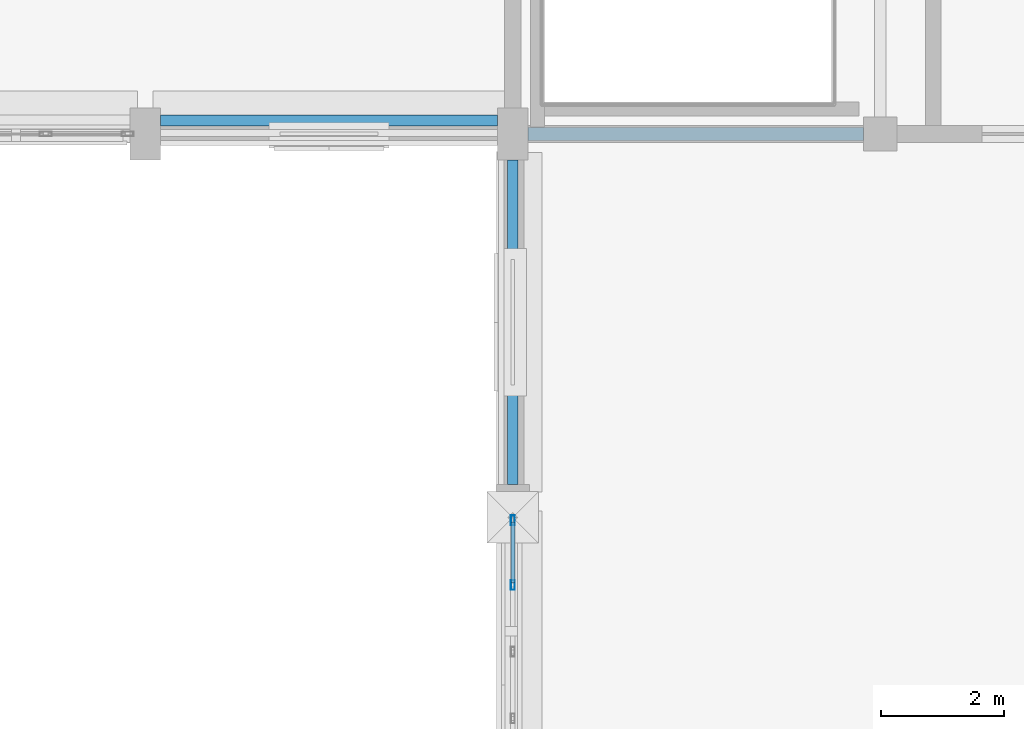
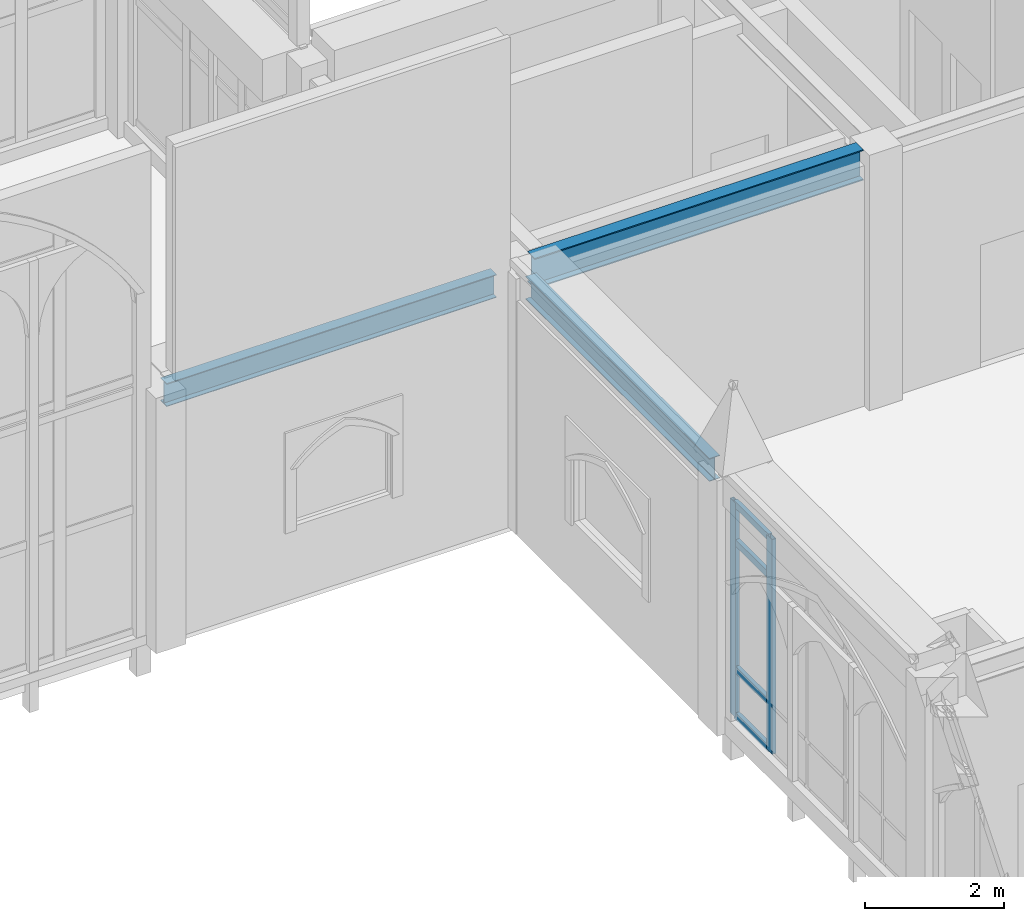
# One storey, part 46 of 108: 6 members, 3 beams, 1 element without a shape of its own.
"""IFC4 building model written with IfcOpenShell, lengths in metres."""

import ifcopenshell
import ifcopenshell.guid

model = None  # the IFC model being written
_history = None  # IfcOwnerHistory: only IFC2X3 demands one
_inside = {}  # id of a spatial element -> (the spatial element, [elements in it])
_under = {}  # id of a project, library or spatial element -> (it, [spatial elements below it])
_declared = {}  # id of a project -> (the project, [libraries it declares])
_typed = {}  # id of a type object -> (the type object, [elements of that type])
_made_of = {}  # id of a material, layer set ... -> (it, [elements and type objects made of it])


def new_model(schema):
    """Start an empty IFC model of exactly this schema.

    Asked for "IFC4X3", IfcOpenShell would pick the latest addendum, in which some entities
    have other attributes; the version numbers below select the first issue.
    IFC2X3 requires an IfcOwnerHistory on every rooted entity: one is made here for all.
    """
    global model, _history
    if schema == "IFC4X3":
        model = ifcopenshell.file(schema_version=(4, 3, 0, 0))
    else:
        model = ifcopenshell.file(schema=schema)
    _inside.clear()
    _under.clear()
    _declared.clear()
    _typed.clear()
    _made_of.clear()
    _history = None
    if model.schema == "IFC2X3":
        org = make("IfcOrganization", Name="unknown")
        user = make(
            "IfcPersonAndOrganization",
            ThePerson=make("IfcPerson", FamilyName="unknown"),
            TheOrganization=org,
        )
        app = make(
            "IfcApplication",
            ApplicationDeveloper=org,
            Version="unknown",
            ApplicationFullName="unknown",
            ApplicationIdentifier="unknown",
        )
        _history = make(
            "IfcOwnerHistory",
            OwningUser=user,
            OwningApplication=app,
            ChangeAction="ADDED",
            CreationDate=0,
        )
    return model


def make(cls, **values):
    """One entity of the class cls with the attributes given. An attribute that is None is left unset."""
    return model.create_entity(
        cls, **{name: value for name, value in values.items() if value is not None}
    )


def rooted(cls, **values):
    """An entity with a GlobalId (a new one), such as an element, a storey or a relation."""
    return make(cls, GlobalId=ifcopenshell.guid.new(), OwnerHistory=_history, **values)


def si_unit(unit_type, name, prefix=None):
    """IfcSIUnit, for example si_unit("LENGTHUNIT", "METRE", prefix="MILLI")."""
    return make("IfcSIUnit", UnitType=unit_type, Prefix=prefix, Name=name)


def assignment(units):
    """IfcUnitAssignment: the units of a project."""
    return None if units is None else make("IfcUnitAssignment", Units=units)


def point(xyz):
    """IfcCartesianPoint."""
    return None if xyz is None else make("IfcCartesianPoint", Coordinates=xyz)


def direction(xyz):
    """IfcDirection."""
    return None if xyz is None else make("IfcDirection", DirectionRatios=xyz)


def frame(location, z_axis=None, x_axis=None):
    """IfcAxis2Placement3D, a coordinate frame: its origin and axes. An axis left out is left unset."""
    return make(
        "IfcAxis2Placement3D",
        Location=point(location),
        Axis=direction(z_axis),
        RefDirection=direction(x_axis),
    )


def frame_2d(location, x_axis=None):
    """IfcAxis2Placement2D, a coordinate frame in the plane: its origin and x axis."""
    return make(
        "IfcAxis2Placement2D", Location=point(location), RefDirection=direction(x_axis)
    )


def origin():
    """The frame at (0, 0, 0) with its axes left unset."""
    return frame((0.0, 0.0, 0.0))


def origin_2d():
    """The frame at (0, 0) in the plane with its x axis left unset."""
    return frame_2d((0.0, 0.0))


def place(relative_to, where):
    """IfcLocalPlacement: puts the frame where relative to a parent placement (None: the world)."""
    return make(
        "IfcLocalPlacement", PlacementRelTo=relative_to, RelativePlacement=where
    )


def context(
    kind, dimensions, precision=None, world=None, true_north=None, identifier=None
):
    """IfcGeometricRepresentationContext, for example the 3D "Model" context."""
    return make(
        "IfcGeometricRepresentationContext",
        ContextIdentifier=identifier,
        ContextType=kind,
        CoordinateSpaceDimension=dimensions,
        Precision=precision,
        WorldCoordinateSystem=world,
        TrueNorth=true_north,
    )


def subcontext(parent, identifier, kind, view, scale=None):
    """IfcGeometricRepresentationSubContext, for example "Body" below "Model"."""
    return make(
        "IfcGeometricRepresentationSubContext",
        ContextIdentifier=identifier,
        ContextType=kind,
        ParentContext=parent,
        TargetScale=scale,
        TargetView=view,
    )


def project(units=None, contexts=None):
    """IfcProject with its units and contexts."""
    return rooted(
        "IfcProject",
        Name="project",
        RepresentationContexts=contexts,
        UnitsInContext=assignment(units),
    )


def spatial(cls, under=None, at=None, **own):
    """A site, building, storey or space (cls), placed at a placement, below another one or the project."""
    s = rooted(cls, ObjectPlacement=at, **own)
    if under is not None:
        _under.setdefault(under.id(), (under, []))[1].append(s)
    return s


def profile(cls, at=None, kind="AREA", **sizes):
    """A parametric profile (cls). Its sizes go by their IFC names, for example OverallWidth=200.0."""
    return make(cls, ProfileType=kind, Position=at, **sizes)


def hollow_rectangle(**sizes):
    """IfcRectangleHollowProfileDef."""
    return profile("IfcRectangleHollowProfileDef", **sizes)


def i_section(**sizes):
    """IfcIShapeProfileDef."""
    return profile("IfcIShapeProfileDef", **sizes)


def extrude(swept, where, along, depth):
    """IfcExtrudedAreaSolid: the profile swept, set in the frame where, extruded along a direction by depth."""
    return make(
        "IfcExtrudedAreaSolid",
        SweptArea=swept,
        Position=where,
        ExtrudedDirection=direction(along),
        Depth=depth,
    )


def shape(context_of_items, identifier, shape_type, items):
    """IfcShapeRepresentation: the items that make up one representation, for example the "Body"."""
    return make(
        "IfcShapeRepresentation",
        ContextOfItems=context_of_items,
        RepresentationIdentifier=identifier,
        RepresentationType=shape_type,
        Items=items,
    )


def material(Name=None, Category=None):
    """IfcMaterial."""
    return make("IfcMaterial", Name=Name, Category=Category)


def layer(
    of_material, thickness, ventilated=None, Name=None, Category=None, Priority=None
):
    """IfcMaterialLayer: one layer of a wall or slab, of a material (None: an air gap)."""
    return make(
        "IfcMaterialLayer",
        Material=of_material,
        LayerThickness=thickness,
        IsVentilated=ventilated,
        Name=Name,
        Category=Category,
        Priority=Priority,
    )


def layer_set(layers, Name=None):
    """IfcMaterialLayerSet."""
    return make("IfcMaterialLayerSet", MaterialLayers=layers, LayerSetName=Name)


def material_profile(
    of_material, cross_section, Name=None, Category=None, Priority=None
):
    """IfcMaterialProfile: a cross section and its material."""
    return make(
        "IfcMaterialProfile",
        Name=Name,
        Material=of_material,
        Profile=cross_section,
        Priority=Priority,
        Category=Category,
    )


def profile_set(profiles, Name=None, composite=None):
    """IfcMaterialProfileSet."""
    return make(
        "IfcMaterialProfileSet",
        Name=Name,
        MaterialProfiles=profiles,
        CompositeProfile=composite,
    )


def made_of(thing, what):
    """Note that an element or type object is made of a material, layer set ...; save() writes the relation."""
    if what is not None:
        _made_of.setdefault(what.id(), (what, []))[1].append(thing)
    return thing


def type_object(cls, material=None, **own):
    """A type object (cls), such as IfcWallType, which elements share."""
    return made_of(rooted(cls, **own), material)


def element(
    cls,
    number,
    at=None,
    inside=None,
    cuts=None,
    type_object=None,
    material=None,
    context=None,
    identifier="Body",
    shape_type=None,
    held_by="IfcProductDefinitionShape",
    body=None,
    shapes=None,
    **own,
):
    """One element of the class cls, such as IfcWall. Its Tag is "e" and its number.

    at: its placement. inside: the storey or other place that contains it. cuts: it is an
    opening in that element (IfcRelVoidsElement). A single representation is given by context,
    identifier, shape_type and body (its items); several are given by shapes. held_by: the class
    of the entity that holds the representations. save() writes the other relations.
    """
    e = rooted(cls, Tag="e%d" % number, ObjectPlacement=at, **own)
    if body is not None:
        shapes = [shape(context, identifier, shape_type, body)]
    if shapes is not None:
        e.Representation = make(held_by, Representations=shapes)
    if inside is not None:
        _inside.setdefault(inside.id(), (inside, []))[1].append(e)
    if cuts is not None:
        rooted(
            "IfcRelVoidsElement", RelatingBuildingElement=cuts, RelatedOpeningElement=e
        )
    if type_object is not None:
        _typed.setdefault(type_object.id(), (type_object, []))[1].append(e)
    return made_of(e, material)


def aggregate(whole, parts):
    """IfcRelAggregates: a whole, such as a stair, and the parts it consists of."""
    return rooted("IfcRelAggregates", RelatingObject=whole, RelatedObjects=parts)


def save(model, path):
    """Write the relations noted so far, then the file.

    IfcRelAggregates (storeys below a building ...), IfcRelContainedInSpatialStructure (elements
    in a storey), IfcRelDefinesByType, IfcRelAssociatesMaterial and IfcRelDeclares: one each for
    every whole, place, type object, material and project.
    """
    for whole, parts in _under.values():
        aggregate(whole, parts)
    for where, things in _inside.values():
        rooted(
            "IfcRelContainedInSpatialStructure",
            RelatedElements=things,
            RelatingStructure=where,
        )
    for kind, things in _typed.values():
        rooted("IfcRelDefinesByType", RelatedObjects=things, RelatingType=kind)
    for what, things in _made_of.values():
        rooted("IfcRelAssociatesMaterial", RelatedObjects=things, RelatingMaterial=what)
    for by, libraries in _declared.values():
        rooted("IfcRelDeclares", RelatingContext=by, RelatedDefinitions=libraries)
    model.write(path)


model = new_model("IFC4")

# Units and contexts
model_context = context("Model", 3, precision=1e-05, world=origin(), true_north=direction((0.0, 1.0)))
body_context = subcontext(model_context, "Body", "Model", "MODEL_VIEW")
ifc_project = project(units=[si_unit("LENGTHUNIT", "METRE"), si_unit("AREAUNIT", "SQUARE_METRE"), si_unit("VOLUMEUNIT", "CUBIC_METRE"), si_unit("PLANEANGLEUNIT", "RADIAN"), si_unit("MASSUNIT", "GRAM", prefix="KILO")], contexts=[model_context])

# Site, building, storey
site_placement = place(None, origin())
site = spatial("IfcSite", under=ifc_project, at=site_placement, CompositionType="ELEMENT")
building_placement = place(site_placement, origin())
building = spatial("IfcBuilding", under=site, at=building_placement, Name="Cumevento Cable Car Station", CompositionType="ELEMENT")
storey_placement = place(building_placement, frame((0.0, 0.0, 13.5)))
storey = spatial("IfcBuildingStorey", under=building, at=storey_placement, Name="L04", CompositionType="ELEMENT", Elevation=13.5)

# Curtain wall, members
ifc_material_1 = material(Name="Anodised Bronze Aluminium AW-6063-T6", Category="aluminium")
ifc_layer = layer(ifc_material_1, 0.177978515625)
ifc_layer_set = layer_set([ifc_layer], Name="Anodised Bronze Aluminium AW-6063-T6")
curtain_wall_type = type_object("IfcCurtainWallType", Name="Lancet Curtain Wall CW-04 1170", PredefinedType="NOTDEFINED", material=ifc_layer_set)
curtain_wall_placement = place(storey_placement, origin())
curtain_wall = element("IfcCurtainWall", 1, at=curtain_wall_placement, inside=storey, type_object=curtain_wall_type, Name="Lancet Curtain Wall CW-04 L04 #179", PredefinedType="NOTDEFINED")
ifc_material_2 = material(Name="Anodised Bronze Aluminium AW-6063-T6", Category="aluminium")
ifc_material_profile_1 = material_profile(ifc_material_2, hollow_rectangle(XDim=0.06494140625, YDim=0.159912109375, WallThickness=0.00390625, at=origin_2d()), Name="ALUM65x160x4")
ifc_profile_set_1 = profile_set([ifc_material_profile_1], Name="Anodised Bronze Aluminium AW-6063-T6")
member_type_1 = type_object("IfcMemberType", Name="Curtain Mullion CWM-01 ALUM65x160x4", PredefinedType="MULLION", material=ifc_profile_set_1)
member_1_placement = place(storey_placement, frame((118.0, 37.635009765625, 0.31005859375), z_axis=(0.0, 0.0, 1.0), x_axis=(-1.0, 0.0, 0.0)))
member_1 = element("IfcMember", 2, at=member_1_placement, type_object=member_type_1, Name="CW-04 mullion 5", PredefinedType="MULLION", context=body_context, shape_type="SweptSolid", body=[
    extrude(hollow_rectangle(XDim=0.06494140625, YDim=0.159912109375, WallThickness=0.00390625, at=origin_2d()), origin(), (0.0, 0.0, 1.0), 3.782958984375),
])
member_2_placement = place(storey_placement, frame((118.0, 38.6923828125, 0.31005859375), z_axis=(0.0, 0.0, 1.0), x_axis=(-1.0, 0.0, 0.0)))
member_2 = element("IfcMember", 3, at=member_2_placement, type_object=member_type_1, Name="CW-04 mullion 6", PredefinedType="MULLION", context=body_context, shape_type="SweptSolid", body=[
    extrude(hollow_rectangle(XDim=0.06494140625, YDim=0.159912109375, WallThickness=0.00390625, at=origin_2d()), origin(), (0.0, 0.0, 1.0), 3.782958984375),
])
ifc_material_3 = material(Name="Anodised Bronze Aluminium AW-6063-T6", Category="aluminium")
ifc_material_profile_2 = material_profile(ifc_material_3, hollow_rectangle(XDim=0.06494140625, YDim=0.1201171875, WallThickness=0.00390625, at=origin_2d()), Name="ALUT65x120x4")
ifc_profile_set_2 = profile_set([ifc_material_profile_2], Name="Anodised Bronze Aluminium AW-6063-T6")
member_type_2 = type_object("IfcMemberType", Name="Curtain Transom CWT-01 ALUT65x120x4", PredefinedType="USERDEFINED", material=ifc_profile_set_2)
member_3_placement = place(storey_placement, frame((118.0, 37.66748046875, 0.342529296875), z_axis=(0.0, 1.0, 0.0), x_axis=(-1.0, 0.0, 0.0)))
member_3 = element("IfcMember", 4, at=member_3_placement, type_object=member_type_2, Name="CW-04 transom 5.1", ObjectType="TRANSOM", PredefinedType="USERDEFINED", context=body_context, shape_type="SweptSolid", body=[
    extrude(hollow_rectangle(XDim=0.06494140625, YDim=0.1201171875, WallThickness=0.00390625, at=origin_2d()), origin(), (0.0, 0.0, 1.0), 0.992431640625),
])
member_4_placement = place(storey_placement, frame((118.0, 37.66748046875, 1.159912109375), z_axis=(0.0, 1.0, 0.0), x_axis=(-1.0, 0.0, 0.0)))
member_4 = element("IfcMember", 5, at=member_4_placement, type_object=member_type_2, Name="CW-04 transom 5.2", ObjectType="TRANSOM", PredefinedType="USERDEFINED", context=body_context, shape_type="SweptSolid", body=[
    extrude(hollow_rectangle(XDim=0.06494140625, YDim=0.1201171875, WallThickness=0.00390625, at=origin_2d()), origin(), (0.0, 0.0, 1.0), 0.992431640625),
])
member_5_placement = place(storey_placement, frame((118.0, 37.66748046875, 3.39306640625), z_axis=(0.0, 1.0, 0.0), x_axis=(-1.0, 0.0, 0.0)))
member_5 = element("IfcMember", 6, at=member_5_placement, type_object=member_type_2, Name="CW-04 transom 5.3", ObjectType="TRANSOM", PredefinedType="USERDEFINED", context=body_context, shape_type="SweptSolid", body=[
    extrude(hollow_rectangle(XDim=0.06494140625, YDim=0.1201171875, WallThickness=0.00390625, at=origin_2d()), origin(), (0.0, 0.0, 1.0), 0.992431640625),
])
member_6_placement = place(storey_placement, frame((118.0, 37.66748046875, 4.060546875), z_axis=(0.0, 1.0, 0.0), x_axis=(-1.0, 0.0, 0.0)))
member_6 = element("IfcMember", 7, at=member_6_placement, type_object=member_type_2, Name="CW-04 transom 5.4", ObjectType="TRANSOM", PredefinedType="USERDEFINED", context=body_context, shape_type="SweptSolid", body=[
    extrude(hollow_rectangle(XDim=0.06494140625, YDim=0.1201171875, WallThickness=0.00390625, at=origin_2d()), origin(), (0.0, 0.0, 1.0), 0.992431640625),
])
aggregate(curtain_wall, [member_1, member_2, member_3, member_4, member_5, member_6])

# Beams
ifc_material_4 = material(Name="Steel ASTM A572 Grade 50", Category="steel")
ifc_material_profile_3 = material_profile(ifc_material_4, i_section(OverallWidth=0.2109375, OverallDepth=0.5390625, WebThickness=0.01171875, FlangeThickness=0.018798828125, at=origin_2d()), Name="W530x109.0")
ifc_profile_set_3 = profile_set([ifc_material_profile_3], Name="Steel ASTM A572 Grade 50")
beam_type_1 = type_object("IfcBeamType", Name="Structural Beam BM-11 W530x109.0", PredefinedType="BEAM", material=ifc_profile_set_3)
beam_1_placement = place(storey_placement, frame((118.25, 45.0, 4.23046875), z_axis=(1.0, 0.0, 0.0), x_axis=(0.0, 1.0, 0.0)))
element("IfcBeam", 8, at=beam_1_placement, inside=storey, type_object=beam_type_1, Name="Beam BM-11 L04 #1464", PredefinedType="BEAM", context=body_context, shape_type="SweptSolid", body=[
    extrude(i_section(OverallWidth=0.2109375, OverallDepth=0.5390625, WebThickness=0.01171875, FlangeThickness=0.018798828125, at=origin_2d()), origin(), (0.0, 0.0, 1.0), 5.47509765625),
])
ifc_material_5 = material(Name="Steel ASTM A572 Grade 50", Category="steel")
ifc_material_profile_4 = material_profile(ifc_material_5, i_section(OverallWidth=0.177978515625, OverallDepth=0.406982421875, WebThickness=0.0078125, FlangeThickness=0.0126953125, at=origin_2d()), Name="W410x60.0")
ifc_profile_set_4 = profile_set([ifc_material_profile_4], Name="Steel ASTM A572 Grade 50")
beam_type_2 = type_object("IfcBeamType", Name="Structural Spandrel SP-01 W410x60.0", PredefinedType="SPANDREL", material=ifc_profile_set_4)
beam_2_placement = place(storey_placement, frame((112.25, 45.219970703125, 4.04638671875), z_axis=(1.0, 0.0, 0.0), x_axis=(0.0, 1.0, 0.0)))
element("IfcBeam", 9, at=beam_2_placement, inside=storey, type_object=beam_type_2, Name="Beam SP-01 L04 #1431", PredefinedType="SPANDREL", context=body_context, shape_type="SweptSolid", body=[
    extrude(i_section(OverallWidth=0.177978515625, OverallDepth=0.406982421875, WebThickness=0.0078125, FlangeThickness=0.0126953125, at=origin_2d()), origin(), (0.0, 0.0, 1.0), 5.5),
])
beam_3_placement = place(storey_placement, frame((118.0, 39.27490234375, 4.29638671875), z_axis=(0.0, 1.0, 0.0), x_axis=(-1.0, 0.0, 0.0)))
element("IfcBeam", 10, at=beam_3_placement, inside=storey, type_object=beam_type_2, Name="Beam SP-01 L04 #1468", PredefinedType="SPANDREL", context=body_context, shape_type="SweptSolid", body=[
    extrude(i_section(OverallWidth=0.177978515625, OverallDepth=0.406982421875, WebThickness=0.0078125, FlangeThickness=0.0126953125, at=origin_2d()), origin(), (0.0, 0.0, 1.0), 5.300048828125),
])

save(model, "model.ifc")
